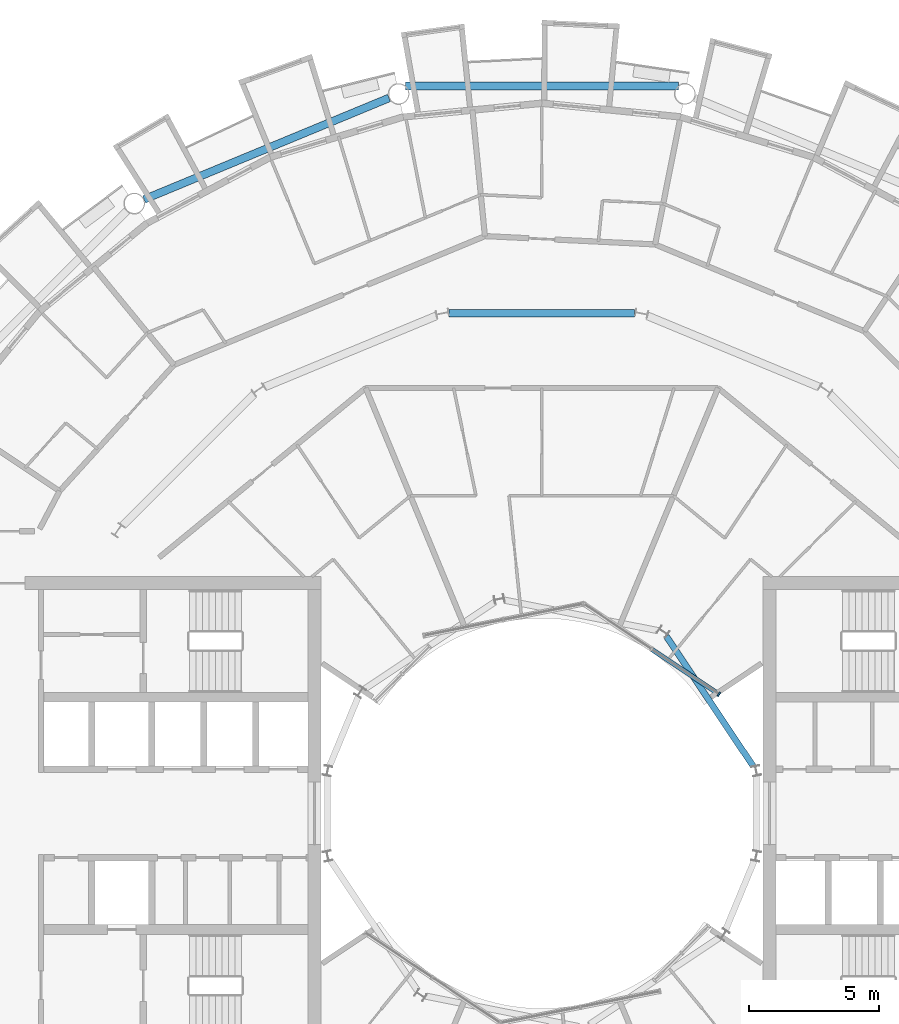
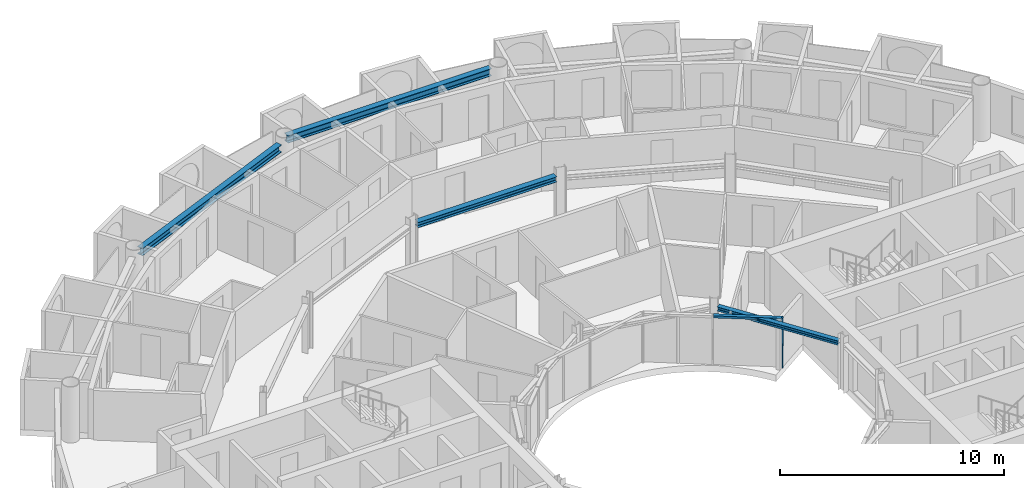
# One storey, part 9 of 28: 4 beams, 2 members, 1 element without a shape of its own.
"""IFC4 building model written with IfcOpenShell, lengths in metres."""

from ifc_helpers import new_model, si_unit, direction, frame, origin, origin_2d, place, context, subcontext, project, spatial, rectangle, i_section, extrude, material, layer, layer_set, material_profile, profile_set, type_object, element, aggregate, save


model = new_model("IFC4")

# Units and contexts
model_context = context("Model", 3, precision=1e-05, world=origin(), true_north=direction((0.0, 1.0)))
body_context = subcontext(model_context, "Body", "Model", "MODEL_VIEW")
ifc_project = project(units=[si_unit("LENGTHUNIT", "METRE"), si_unit("AREAUNIT", "SQUARE_METRE"), si_unit("VOLUMEUNIT", "CUBIC_METRE"), si_unit("PLANEANGLEUNIT", "RADIAN"), si_unit("MASSUNIT", "GRAM", prefix="KILO")], contexts=[model_context])

# Site, building, storey
site_placement = place(None, origin())
site = spatial("IfcSite", under=ifc_project, at=site_placement, CompositionType="ELEMENT")
building_placement = place(site_placement, origin())
building = spatial("IfcBuilding", under=site, at=building_placement, Name="Maasbend Ring Residences", CompositionType="ELEMENT")
storey_placement = place(building_placement, frame((0.0, 0.0, 173.800048828125)))
storey = spatial("IfcBuildingStorey", under=building, at=storey_placement, Name="L50", CompositionType="ELEMENT", Elevation=173.800048828125)

# Curtain wall, members
ifc_material_1 = material(Name="Aluminium and clear glass", Category="aluminium")
ifc_layer = layer(ifc_material_1, 0.179931640625)
ifc_layer_set = layer_set([ifc_layer], Name="CW-W")
curtain_wall_type = type_object("IfcCurtainWallType", Name="CW-W", PredefinedType="NOTDEFINED", material=ifc_layer_set)
curtain_wall_placement = place(storey_placement, origin())
curtain_wall = element("IfcCurtainWall", 1, at=curtain_wall_placement, inside=storey, type_object=curtain_wall_type, Name="Well curtain wall N1", PredefinedType="NOTDEFINED")
ifc_material_2 = material(Name="Aluminium 6063-T6", Category="aluminium")
ifc_material_profile_1 = material_profile(ifc_material_2, rectangle(XDim=0.179931640625, YDim=0.06005859375, at=origin_2d()), Name="AL 180x60")
ifc_profile_set_1 = profile_set([ifc_material_profile_1], Name="Aluminium 6063-T6")
member_type_1 = type_object("IfcMemberType", Name="CWM-W", PredefinedType="MULLION", material=ifc_profile_set_1)
member_1_placement = place(storey_placement, frame((6.805908203125, 4.580810546875, 0.0), z_axis=(0.0, 0.0, 1.0), x_axis=(-0.55557023302, -0.831469612303, 0.0)))
member_1 = element("IfcMember", 2, at=member_1_placement, type_object=member_type_1, Name="Mullion well face", PredefinedType="MULLION", context=body_context, shape_type="SweptSolid", body=[
    extrude(rectangle(XDim=0.179931640625, YDim=0.06005859375, at=origin_2d()), origin(), (0.0, 0.0, 1.0), 2.699951171875),
])
ifc_material_3 = material(Name="Aluminium 6063-T6", Category="aluminium")
ifc_material_profile_2 = material_profile(ifc_material_3, rectangle(XDim=0.179931640625, YDim=0.1201171875, at=origin_2d()), Name="AL 180x120")
ifc_profile_set_2 = profile_set([ifc_material_profile_2], Name="Aluminium 6063-T6")
member_type_2 = type_object("IfcMemberType", Name="CWT-W", PredefinedType="USERDEFINED", material=ifc_profile_set_2)
member_2_placement = place(storey_placement, frame((6.781005859375, 4.59765625, 2.639892578125), z_axis=(-0.831496422459, 0.555530106689, 0.0), x_axis=(-0.555530106689, -0.831496422459, 0.0)))
member_2 = element("IfcMember", 3, at=member_2_placement, type_object=member_type_2, Name="Transom well face", ObjectType="TRANSOM", PredefinedType="USERDEFINED", context=body_context, shape_type="SweptSolid", body=[
    extrude(rectangle(XDim=0.179931640625, YDim=0.1201171875, at=origin_2d()), origin(), (0.0, 0.0, 1.0), 3.053955078125),
])
aggregate(curtain_wall, [member_1, member_2])

# Beams
ifc_material_4 = material(Name="Steel S355J2", Category="steel")
ifc_material_profile_3 = material_profile(ifc_material_4, i_section(OverallWidth=0.300048828125, OverallDepth=0.2900390625, WebThickness=0.008544921875, FlangeThickness=0.013916015625, FilletRadius=0.027099609375, at=origin_2d()), Name="HEA 300")
ifc_profile_set_3 = profile_set([ifc_material_profile_3], Name="Steel S355J2")
beam_type_1 = type_object("IfcBeamType", Name="Corridor ring beam HEA 300", PredefinedType="BEAM", material=ifc_profile_set_3)
beam_1_placement = place(storey_placement, frame((3.56884765625, 19.223388671875, 2.554931640625), z_axis=(-1.0, 0.0, 0.0), x_axis=(0.0, -1.0, 0.0)))
element("IfcBeam", 4, at=beam_1_placement, inside=storey, type_object=beam_type_1, Name="Corridor ring beam", PredefinedType="BEAM", context=body_context, shape_type="SweptSolid", body=[
    extrude(i_section(OverallWidth=0.300048828125, OverallDepth=0.2900390625, WebThickness=0.008544921875, FlangeThickness=0.013916015625, FilletRadius=0.027099609375, at=origin_2d()), origin(), (0.0, 0.0, 1.0), 7.1376953125),
])
ifc_material_5 = material(Name="Steel S355J2", Category="steel")
ifc_material_profile_4 = material_profile(ifc_material_5, i_section(OverallWidth=0.300048828125, OverallDepth=0.39990234375, WebThickness=0.013427734375, FlangeThickness=0.02392578125, FilletRadius=0.027099609375, at=origin_2d()), Name="HEB 400")
ifc_profile_set_4 = profile_set([ifc_material_profile_4], Name="Steel S355J2")
beam_type_2 = type_object("IfcBeamType", Name="Spandrel ring beam HEB 400", PredefinedType="SPANDREL", material=ifc_profile_set_4)
beam_2_placement = place(storey_placement, frame((5.2451171875, 27.9580078125, 2.5), z_axis=(-1.0, 0.0, 0.0), x_axis=(0.0, -1.0, 0.0)))
element("IfcBeam", 5, at=beam_2_placement, inside=storey, type_object=beam_type_2, Name="Spandrel ring beam", PredefinedType="SPANDREL", context=body_context, shape_type="SweptSolid", body=[
    extrude(i_section(OverallWidth=0.300048828125, OverallDepth=0.39990234375, WebThickness=0.013427734375, FlangeThickness=0.02392578125, FilletRadius=0.027099609375, at=origin_2d()), origin(), (0.0, 0.0, 1.0), 10.490234375),
])
beam_3_placement = place(storey_placement, frame((-5.877197265625, 27.50244140625, 2.5), z_axis=(-0.923883676188, -0.382673428492, 0.0), x_axis=(0.382673428492, -0.923883676188, 0.0)))
element("IfcBeam", 6, at=beam_3_placement, inside=storey, type_object=beam_type_2, Name="Spandrel ring beam", PredefinedType="SPANDREL", context=body_context, shape_type="SweptSolid", body=[
    extrude(i_section(OverallWidth=0.300048828125, OverallDepth=0.39990234375, WebThickness=0.013427734375, FlangeThickness=0.02392578125, FilletRadius=0.027099609375, at=origin_2d()), origin(), (0.0, 0.0, 1.0), 10.18994140625),
])
ifc_material_6 = material(Name="Steel S355J2", Category="steel")
ifc_material_profile_5 = material_profile(ifc_material_6, i_section(OverallWidth=0.239990234375, OverallDepth=0.22998046875, WebThickness=0.007568359375, FlangeThickness=0.011962890625, FilletRadius=0.02099609375, at=origin_2d()), Name="HEA 240")
ifc_profile_set_5 = profile_set([ifc_material_profile_5], Name="Steel S355J2")
beam_type_3 = type_object("IfcBeamType", Name="Well edge beam HEA 240", PredefinedType="BEAM", material=ifc_profile_set_5)
beam_4_placement = place(storey_placement, frame((8.121337890625, 1.814208984375, 2.5849609375), z_axis=(-0.555553413909, 0.831480850227, 0.0), x_axis=(-0.831480850227, -0.555553413909, 0.0)))
element("IfcBeam", 7, at=beam_4_placement, inside=storey, type_object=beam_type_3, Name="Well edge beam", PredefinedType="BEAM", context=body_context, shape_type="SweptSolid", body=[
    extrude(i_section(OverallWidth=0.239990234375, OverallDepth=0.22998046875, WebThickness=0.007568359375, FlangeThickness=0.011962890625, FilletRadius=0.02099609375, at=origin_2d()), origin(), (0.0, 0.0, 1.0), 6.0068359375),
])

save(model, "model.ifc")
